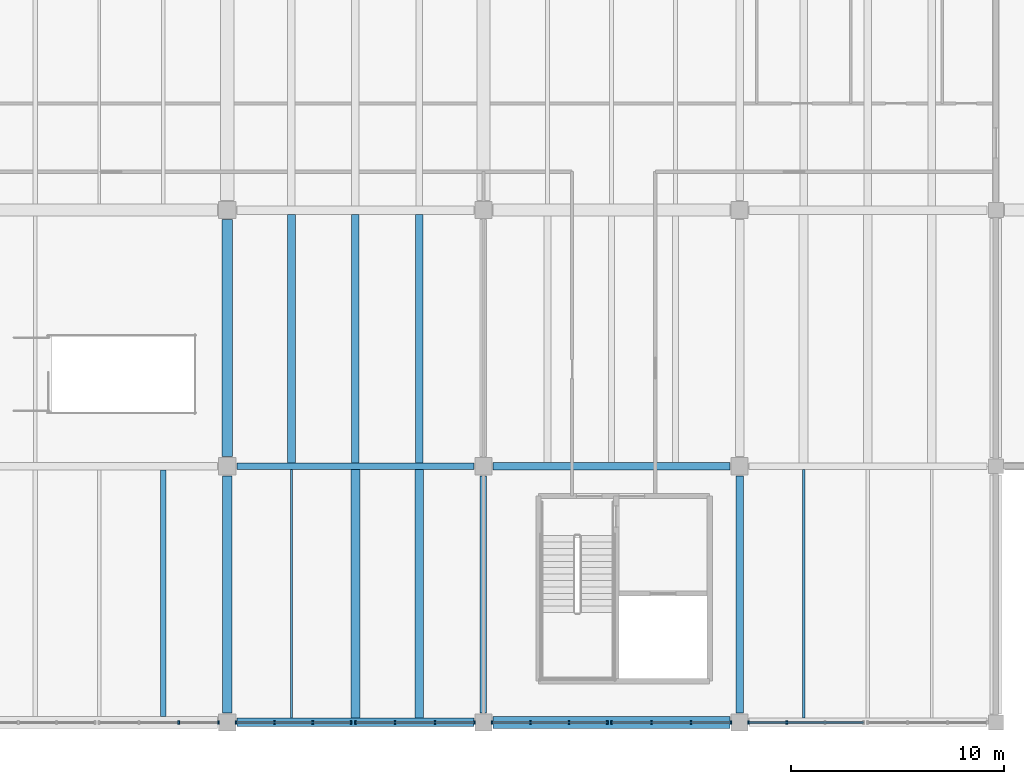
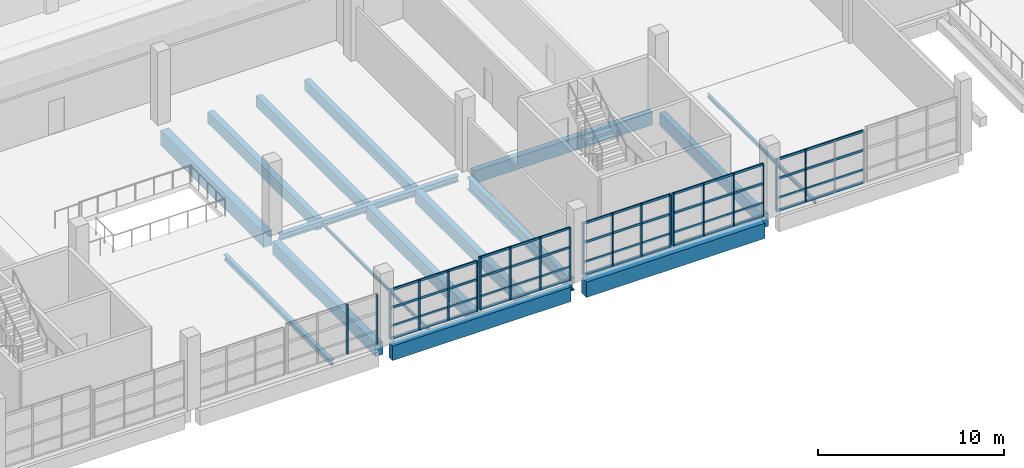
# One storey, part 33 of 112: 40 members, 16 beams, 6 elements without a shape of their own.
"""IFC4 building model written with IfcOpenShell, lengths in metres."""

from ifc_helpers import new_model, si_unit, direction, frame, origin, origin_2d, place, context, subcontext, project, spatial, rectangle, i_section, extrude, material, material_profile, profile_set, type_object, element, aggregate, save


model = new_model("IFC4")

# Units and contexts
model_context = context("Model", 3, precision=1e-05, world=origin(), true_north=direction((0.0, 1.0)))
body_context = subcontext(model_context, "Body", "Model", "MODEL_VIEW")
ifc_project = project(units=[si_unit("LENGTHUNIT", "METRE"), si_unit("AREAUNIT", "SQUARE_METRE"), si_unit("VOLUMEUNIT", "CUBIC_METRE"), si_unit("PLANEANGLEUNIT", "RADIAN"), si_unit("MASSUNIT", "GRAM", prefix="KILO")], contexts=[model_context])

# Site, building, storey
site_placement = place(None, origin())
site = spatial("IfcSite", under=ifc_project, at=site_placement, CompositionType="ELEMENT")
building_placement = place(site_placement, origin())
building = spatial("IfcBuilding", under=site, at=building_placement, Name="Kamomehara Wholesale Market", CompositionType="ELEMENT")
storey_placement = place(building_placement, frame((0.0, 0.0, 6.60009765625)))
storey = spatial("IfcBuildingStorey", under=building, at=storey_placement, Name="L01", CompositionType="ELEMENT", Elevation=6.60009765625)

# Beams
ifc_material_1 = material(Name="Precast concrete Fc45 (C40/50)", Category="concrete")
ifc_material_profile_1 = material_profile(ifc_material_1, rectangle(XDim=0.5, YDim=1.0, at=origin_2d()), Name="PC-GRD-500x1000")
ifc_profile_set_1 = profile_set([ifc_material_profile_1], Name="Precast concrete Fc45 (C40/50)")
beam_type_1 = type_object("IfcBeamType", Name="BM-PG1000", PredefinedType="T_BEAM", material=ifc_profile_set_1)
beam_1_placement = place(storey_placement, frame((132.0, 24.449951171875, -0.822021484375), z_axis=(0.0, 1.0, 0.0), x_axis=(-1.0, 0.0, 0.0)))
element("IfcBeam", 1, at=beam_1_placement, inside=storey, type_object=beam_type_1, Name="Beam PG-09 L01", PredefinedType="T_BEAM", context=body_context, shape_type="SweptSolid", body=[
    extrude(rectangle(XDim=0.5, YDim=1.0, at=origin_2d()), origin(), (0.0, 0.0, 1.0), 11.10009765625),
])
ifc_material_2 = material(Name="Precast concrete Fc45 (C40/50)", Category="concrete")
ifc_material_profile_2 = material_profile(ifc_material_2, rectangle(XDim=0.449951171875, YDim=0.85009765625, at=origin_2d()), Name="PC-GRD-450x850")
ifc_profile_set_2 = profile_set([ifc_material_profile_2], Name="Precast concrete Fc45 (C40/50)")
beam_type_2 = type_object("IfcBeamType", Name="BM-PG850", PredefinedType="T_BEAM", material=ifc_profile_set_2)
beam_2_placement = place(storey_placement, frame((132.0, 12.449951171875, -0.777099609375), z_axis=(0.0, 1.0, 0.0), x_axis=(-1.0, 0.0, 0.0)))
element("IfcBeam", 2, at=beam_2_placement, inside=storey, type_object=beam_type_2, Name="Beam PG-11 L01", PredefinedType="T_BEAM", context=body_context, shape_type="SweptSolid", body=[
    extrude(rectangle(XDim=0.449951171875, YDim=0.85009765625, at=origin_2d()), origin(), (0.0, 0.0, 1.0), 11.10009765625),
])
ifc_material_3 = material(Name="Precast concrete Fc45 (C40/50)", Category="concrete")
ifc_material_profile_3 = material_profile(ifc_material_3, rectangle(XDim=0.35009765625, YDim=0.699951171875, at=origin_2d()), Name="PC-JST-350x700")
ifc_profile_set_3 = profile_set([ifc_material_profile_3], Name="Precast concrete Fc45 (C40/50)")
beam_type_3 = type_object("IfcBeamType", Name="BM-PJ700", PredefinedType="JOIST", material=ifc_profile_set_3)
beam_3_placement = place(storey_placement, frame((141.0, 24.14990234375, -0.672119140625), z_axis=(0.0, 1.0, 0.0), x_axis=(-1.0, 0.0, 0.0)))
element("IfcBeam", 3, at=beam_3_placement, inside=storey, type_object=beam_type_3, Name="Beam PJ-03 L01", PredefinedType="JOIST", context=body_context, shape_type="SweptSolid", body=[
    extrude(rectangle(XDim=0.35009765625, YDim=0.699951171875, at=origin_2d()), origin(), (0.0, 0.0, 1.0), 11.650146484375),
])
ifc_material_4 = material(Name="Precast concrete Fc45 (C40/50)", Category="concrete")
ifc_material_profile_4 = material_profile(ifc_material_4, rectangle(XDim=0.360107421875, YDim=0.719970703125, at=origin_2d()), Name="PC-JST-360x720")
ifc_profile_set_4 = profile_set([ifc_material_profile_4], Name="Precast concrete Fc45 (C40/50)")
beam_type_4 = type_object("IfcBeamType", Name="BM-PJ720", PredefinedType="JOIST", material=ifc_profile_set_4)
beam_4_placement = place(storey_placement, frame((138.0, 24.14990234375, -0.68212890625), z_axis=(0.0, 1.0, 0.0), x_axis=(-1.0, 0.0, 0.0)))
element("IfcBeam", 4, at=beam_4_placement, inside=storey, type_object=beam_type_4, Name="Beam PJ-08 L01", PredefinedType="JOIST", context=body_context, shape_type="SweptSolid", body=[
    extrude(rectangle(XDim=0.360107421875, YDim=0.719970703125, at=origin_2d()), origin(), (0.0, 0.0, 1.0), 11.650146484375),
])
ifc_material_5 = material(Name="Precast concrete Fc45 (C40/50)", Category="concrete")
ifc_material_profile_5 = material_profile(ifc_material_5, rectangle(XDim=0.3798828125, YDim=0.75, at=origin_2d()), Name="PC-JST-380x750")
ifc_profile_set_5 = profile_set([ifc_material_profile_5], Name="Precast concrete Fc45 (C40/50)")
beam_type_5 = type_object("IfcBeamType", Name="BM-PJ750", PredefinedType="JOIST", material=ifc_profile_set_5)
beam_5_placement = place(storey_placement, frame((135.0, 24.14990234375, -0.697021484375), z_axis=(0.0, 1.0, 0.0), x_axis=(-1.0, 0.0, 0.0)))
element("IfcBeam", 5, at=beam_5_placement, inside=storey, type_object=beam_type_5, Name="Beam PJ-02 L01", PredefinedType="JOIST", context=body_context, shape_type="SweptSolid", body=[
    extrude(rectangle(XDim=0.3798828125, YDim=0.75, at=origin_2d()), origin(), (0.0, 0.0, 1.0), 11.650146484375),
])
ifc_material_6 = material(Name="Precast concrete Fc45 (C40/50)", Category="concrete")
ifc_material_profile_6 = material_profile(ifc_material_6, rectangle(XDim=0.39990234375, YDim=0.800048828125, at=origin_2d()), Name="PC-JST-400x800")
ifc_profile_set_6 = profile_set([ifc_material_profile_6], Name="Precast concrete Fc45 (C40/50)")
beam_type_6 = type_object("IfcBeamType", Name="BM-PJ800", PredefinedType="JOIST", material=ifc_profile_set_6)
beam_6_placement = place(storey_placement, frame((141.0, 12.199951171875, -0.752197265625), z_axis=(0.0, 1.0, 0.0), x_axis=(-1.0, 0.0, 0.0)))
element("IfcBeam", 6, at=beam_6_placement, inside=storey, type_object=beam_type_6, Name="Beam PJ-01 L01", PredefinedType="JOIST", context=body_context, shape_type="SweptSolid", body=[
    extrude(rectangle(XDim=0.39990234375, YDim=0.800048828125, at=origin_2d()), origin(), (0.0, 0.0, 1.0), 11.650146484375),
])
ifc_material_7 = material(Name="Precast concrete Fc45 (C40/50)", Category="concrete")
ifc_material_profile_7 = material_profile(ifc_material_7, rectangle(XDim=0.419921875, YDim=0.840087890625, at=origin_2d()), Name="PC-JST-420x840")
ifc_profile_set_7 = profile_set([ifc_material_profile_7], Name="Precast concrete Fc45 (C40/50)")
beam_type_7 = type_object("IfcBeamType", Name="BM-PJ840", PredefinedType="JOIST", material=ifc_profile_set_7)
beam_7_placement = place(storey_placement, frame((138.0, 12.199951171875, -0.772216796875), z_axis=(0.0, 1.0, 0.0), x_axis=(-1.0, 0.0, 0.0)))
element("IfcBeam", 7, at=beam_7_placement, inside=storey, type_object=beam_type_7, Name="Beam PJ-07 L01", PredefinedType="JOIST", context=body_context, shape_type="SweptSolid", body=[
    extrude(rectangle(XDim=0.419921875, YDim=0.840087890625, at=origin_2d()), origin(), (0.0, 0.0, 1.0), 11.650146484375),
])
ifc_material_8 = material(Name="Concrete Fc36 (C35/45)", Category="concrete")
ifc_material_profile_8 = material_profile(ifc_material_8, rectangle(XDim=0.550048828125, YDim=1.0, at=origin_2d()), Name="RC-SEB-550x1000")
ifc_profile_set_8 = profile_set([ifc_material_profile_8], Name="Concrete Fc36 (C35/45)")
beam_type_8 = type_object("IfcBeamType", Name="BM-SEB1000-EXT", PredefinedType="SPANDREL", material=ifc_profile_set_8)
beam_8_placement = place(storey_placement, frame((144.449951171875, 12.0, -0.81201171875), z_axis=(1.0, 0.0, 0.0), x_axis=(0.0, 1.0, 0.0)))
element("IfcBeam", 8, at=beam_8_placement, inside=storey, type_object=beam_type_8, Name="Beam SEB-03E L01", PredefinedType="SPANDREL", context=body_context, shape_type="SweptSolid", body=[
    extrude(rectangle(XDim=0.550048828125, YDim=1.0, at=origin_2d()), origin(), (0.0, 0.0, 1.0), 11.10009765625),
])
ifc_material_9 = material(Name="Precast concrete Fc45 (C40/50)", Category="concrete")
ifc_material_profile_9 = material_profile(ifc_material_9, rectangle(XDim=0.35009765625, YDim=0.85009765625, at=origin_2d()), Name="PC-SPN-350x850")
ifc_profile_set_9 = profile_set([ifc_material_profile_9], Name="Precast concrete Fc45 (C40/50)")
beam_type_9 = type_object("IfcBeamType", Name="BM-SPN850-EXT", PredefinedType="SPANDREL", material=ifc_profile_set_9)
for number, where, z_axis, x_axis, name in (
    (9, (156.0, 12.449951171875, -0.737060546875), (0.0, 1.0, 0.0), (-1.0, 0.0, 0.0), "Beam SPN-02E L01"),
    (10, (144.449951171875, 24.0, -0.76708984375), (1.0, 0.0, 0.0), (0.0, 1.0, 0.0), "Beam SPN-02E L01"),
):
    element("IfcBeam", number, at=place(storey_placement, frame(where, z_axis=z_axis, x_axis=x_axis)), inside=storey, type_object=beam_type_9, Name=name, PredefinedType="SPANDREL", context=body_context, shape_type="SweptSolid", body=[
        extrude(rectangle(XDim=0.35009765625, YDim=0.85009765625, at=origin_2d()), origin(), (0.0, 0.0, 1.0), 11.10009765625),
    ])
ifc_material_10 = material(Name="Precast concrete Fc45 (C40/50)", Category="concrete")
ifc_material_profile_10 = material_profile(ifc_material_10, rectangle(XDim=0.39990234375, YDim=0.949951171875, at=origin_2d()), Name="PC-SPN-400x950")
ifc_profile_set_10 = profile_set([ifc_material_profile_10], Name="Precast concrete Fc45 (C40/50)")
beam_type_10 = type_object("IfcBeamType", Name="BM-SPN950-EXT", PredefinedType="SPANDREL", material=ifc_profile_set_10)
beam_9_placement = place(storey_placement, frame((132.449951171875, 12.0, -0.8271484375), z_axis=(1.0, 0.0, 0.0), x_axis=(0.0, 1.0, 0.0)))
element("IfcBeam", 11, at=beam_9_placement, inside=storey, type_object=beam_type_10, Name="Beam SPN-01E L01", PredefinedType="SPANDREL", context=body_context, shape_type="SweptSolid", body=[
    extrude(rectangle(XDim=0.39990234375, YDim=0.949951171875, at=origin_2d()), origin(), (0.0, 0.0, 1.0), 11.10009765625),
])
ifc_material_11 = material(Name="Steel SN400B", Category="steel")
ifc_material_profile_11 = material_profile(ifc_material_11, i_section(OverallWidth=0.10009765625, OverallDepth=0.199951171875, WebThickness=0.005615234375, FlangeThickness=0.008056640625, FilletRadius=0.008056640625, at=origin_2d()), Name="H-200x100x5.5x8")
ifc_profile_set_11 = profile_set([ifc_material_profile_11], Name="Steel SN400B")
beam_type_11 = type_object("IfcBeamType", Name="BM-ST-H200", PredefinedType="LINTEL", material=ifc_profile_set_11)
beam_10_placement = place(storey_placement, frame((135.0, 12.199951171875, -0.4521484375), z_axis=(0.0, 1.0, 0.0), x_axis=(-1.0, 0.0, 0.0)))
element("IfcBeam", 12, at=beam_10_placement, inside=storey, type_object=beam_type_11, Name="Beam SJ-07 L01", PredefinedType="LINTEL", context=body_context, shape_type="SweptSolid", body=[
    extrude(i_section(OverallWidth=0.10009765625, OverallDepth=0.199951171875, WebThickness=0.005615234375, FlangeThickness=0.008056640625, FilletRadius=0.008056640625, at=origin_2d()), origin(), (0.0, 0.0, 1.0), 11.650146484375),
])
ifc_material_12 = material(Name="Steel SN400B", Category="steel")
ifc_material_profile_12 = material_profile(ifc_material_12, i_section(OverallWidth=0.125, OverallDepth=0.25, WebThickness=0.006103515625, FlangeThickness=0.009033203125, FilletRadius=0.008056640625, at=origin_2d()), Name="H-250x125x6x9")
ifc_profile_set_12 = profile_set([ifc_material_profile_12], Name="Steel SN400B")
beam_type_12 = type_object("IfcBeamType", Name="BM-ST-H250", PredefinedType="JOIST", material=ifc_profile_set_12)
beam_11_placement = place(storey_placement, frame((159.0, 12.199951171875, -0.43701171875), z_axis=(0.0, 1.0, 0.0), x_axis=(-1.0, 0.0, 0.0)))
element("IfcBeam", 13, at=beam_11_placement, inside=storey, type_object=beam_type_12, Name="Beam SJ-06 L01", PredefinedType="JOIST", context=body_context, shape_type="SweptSolid", body=[
    extrude(i_section(OverallWidth=0.125, OverallDepth=0.25, WebThickness=0.006103515625, FlangeThickness=0.009033203125, FilletRadius=0.008056640625, at=origin_2d()), origin(), (0.0, 0.0, 1.0), 11.650146484375),
])
ifc_material_13 = material(Name="Steel SN490B", Category="steel")
ifc_material_profile_13 = material_profile(ifc_material_13, i_section(OverallWidth=0.25, OverallDepth=0.340087890625, WebThickness=0.009033203125, FlangeThickness=0.013916015625, FilletRadius=0.012939453125, at=origin_2d()), Name="H-340x250x9x14")
ifc_profile_set_13 = profile_set([ifc_material_profile_13], Name="Steel SN490B")
beam_type_13 = type_object("IfcBeamType", Name="BM-ST-H340", PredefinedType="JOIST", material=ifc_profile_set_13)
beam_12_placement = place(storey_placement, frame((129.0, 12.27490234375, -0.522216796875), z_axis=(0.0, 1.0, 0.0), x_axis=(-1.0, 0.0, 0.0)))
element("IfcBeam", 14, at=beam_12_placement, inside=storey, type_object=beam_type_13, Name="Beam SJ-08 L01", PredefinedType="JOIST", context=body_context, shape_type="SweptSolid", body=[
    extrude(i_section(OverallWidth=0.25, OverallDepth=0.340087890625, WebThickness=0.009033203125, FlangeThickness=0.013916015625, FilletRadius=0.012939453125, at=origin_2d()), origin(), (0.0, 0.0, 1.0), 11.550048828125),
])
ifc_material_14 = material(Name="Steel SN490B", Category="steel")
ifc_material_profile_14 = material_profile(ifc_material_14, i_section(OverallWidth=0.300048828125, OverallDepth=0.389892578125, WebThickness=0.010009765625, FlangeThickness=0.01611328125, FilletRadius=0.01806640625, at=origin_2d()), Name="H-390x300x10x16")
ifc_profile_set_14 = profile_set([ifc_material_profile_14], Name="Steel SN490B")
beam_type_14 = type_object("IfcBeamType", Name="BM-ST-H390-EXT", PredefinedType="SPANDREL", material=ifc_profile_set_14)
beam_13_placement = place(storey_placement, frame((132.449951171875, 24.0, -0.547119140625), z_axis=(1.0, 0.0, 0.0), x_axis=(0.0, 1.0, 0.0)))
element("IfcBeam", 15, at=beam_13_placement, inside=storey, type_object=beam_type_14, Name="Beam SJ-03E L01", PredefinedType="SPANDREL", context=body_context, shape_type="SweptSolid", body=[
    extrude(i_section(OverallWidth=0.300048828125, OverallDepth=0.389892578125, WebThickness=0.010009765625, FlangeThickness=0.01611328125, FilletRadius=0.01806640625, at=origin_2d()), origin(), (0.0, 0.0, 1.0), 11.10009765625),
])
ifc_material_15 = material(Name="Steel SN490B", Category="steel")
ifc_material_profile_15 = material_profile(ifc_material_15, i_section(OverallWidth=0.300048828125, OverallDepth=0.800048828125, WebThickness=0.013916015625, FlangeThickness=0.02587890625, FilletRadius=0.02392578125, at=origin_2d()), Name="H-800x300x14x26")
ifc_profile_set_15 = profile_set([ifc_material_profile_15], Name="Steel SN490B")
beam_type_15 = type_object("IfcBeamType", Name="BM-ST-H800", PredefinedType="BEAM", material=ifc_profile_set_15)
beam_14_placement = place(storey_placement, frame((144.0, 12.449951171875, -0.752197265625), z_axis=(0.0, 1.0, 0.0), x_axis=(-1.0, 0.0, 0.0)))
element("IfcBeam", 16, at=beam_14_placement, inside=storey, type_object=beam_type_15, Name="Beam SG-02 L01", PredefinedType="BEAM", context=body_context, shape_type="SweptSolid", body=[
    extrude(i_section(OverallWidth=0.300048828125, OverallDepth=0.800048828125, WebThickness=0.013916015625, FlangeThickness=0.02587890625, FilletRadius=0.02392578125, at=origin_2d()), origin(), (0.0, 0.0, 1.0), 11.10009765625),
])

# Curtain wall, members
ifc_material_16 = material(Name="Anodised aluminium 6063-T5", Category="aluminium")
curtain_wall_type = type_object("IfcCurtainWallType", Name="CW-UN-01", PredefinedType="NOTDEFINED", material=ifc_material_16)
curtain_wall_1_placement = place(storey_placement, origin())
curtain_wall_1 = element("IfcCurtainWall", 17, at=curtain_wall_1_placement, inside=storey, type_object=curtain_wall_type, Name="Unitised curtain wall CW-135", PredefinedType="NOTDEFINED")
ifc_material_17 = material(Name="Anodised aluminium 6063-T5", Category="aluminium")
ifc_material_profile_16 = material_profile(ifc_material_17, rectangle(XDim=0.074951171875, YDim=0.179931640625, at=origin_2d()), Name="ALU-MUL-75x180")
ifc_profile_set_16 = profile_set([ifc_material_profile_16], Name="Anodised aluminium 6063-T5")
member_type_1 = type_object("IfcMemberType", Name="CW-MUL-180", PredefinedType="MULLION", material=ifc_profile_set_16)
member_1_placement = place(storey_placement, frame((131.590087890625, 12.0, 0.0), z_axis=(0.0, 0.0, 1.0), x_axis=(-1.0, 0.0, 0.0)))
member_1 = element("IfcMember", 18, at=member_1_placement, type_object=member_type_1, Name="Mullion CW-135.0", PredefinedType="MULLION", context=body_context, shape_type="SweptSolid", body=[
    extrude(rectangle(XDim=0.074951171875, YDim=0.179931640625, at=origin_2d()), origin(), (0.0, 0.0, 1.0), 3.267822265625),
])
member_2_placement = place(storey_placement, frame((129.72705078125, 12.0, 0.0), z_axis=(0.0, 0.0, 1.0), x_axis=(-1.0, 0.0, 0.0)))
member_2 = element("IfcMember", 19, at=member_2_placement, type_object=member_type_1, Name="Mullion CW-135.1", PredefinedType="MULLION", context=body_context, shape_type="SweptSolid", body=[
    extrude(rectangle(XDim=0.074951171875, YDim=0.179931640625, at=origin_2d()), origin(), (0.0, 0.0, 1.0), 3.267822265625),
])
aggregate(curtain_wall_1, [member_1, member_2])

curtain_wall_2_placement = place(storey_placement, origin())
curtain_wall_2 = element("IfcCurtainWall", 20, at=curtain_wall_2_placement, inside=storey, type_object=curtain_wall_type, Name="Unitised curtain wall CW-137", PredefinedType="NOTDEFINED")
member_3_placement = place(storey_placement, frame((143.590087890625, 12.0, 0.0), z_axis=(0.0, 0.0, 1.0), x_axis=(-1.0, 0.0, 0.0)))
member_3 = element("IfcMember", 21, at=member_3_placement, type_object=member_type_1, Name="Mullion CW-137.0", PredefinedType="MULLION", context=body_context, shape_type="SweptSolid", body=[
    extrude(rectangle(XDim=0.074951171875, YDim=0.179931640625, at=origin_2d()), origin(), (0.0, 0.0, 1.0), 3.447998046875),
])
member_4_placement = place(storey_placement, frame((141.72705078125, 12.0, 0.0), z_axis=(0.0, 0.0, 1.0), x_axis=(-1.0, 0.0, 0.0)))
member_4 = element("IfcMember", 22, at=member_4_placement, type_object=member_type_1, Name="Mullion CW-137.1", PredefinedType="MULLION", context=body_context, shape_type="SweptSolid", body=[
    extrude(rectangle(XDim=0.074951171875, YDim=0.179931640625, at=origin_2d()), origin(), (0.0, 0.0, 1.0), 3.447998046875),
])
member_5_placement = place(storey_placement, frame((139.863037109375, 12.0, 0.0), z_axis=(0.0, 0.0, 1.0), x_axis=(-1.0, 0.0, 0.0)))
member_5 = element("IfcMember", 23, at=member_5_placement, type_object=member_type_1, Name="Mullion CW-137.2", PredefinedType="MULLION", context=body_context, shape_type="SweptSolid", body=[
    extrude(rectangle(XDim=0.074951171875, YDim=0.179931640625, at=origin_2d()), origin(), (0.0, 0.0, 1.0), 3.447998046875),
])
member_6_placement = place(storey_placement, frame((138.0, 12.0, 0.0), z_axis=(0.0, 0.0, 1.0), x_axis=(-1.0, 0.0, 0.0)))
member_6 = element("IfcMember", 24, at=member_6_placement, type_object=member_type_1, Name="Mullion CW-137.3", PredefinedType="MULLION", context=body_context, shape_type="SweptSolid", body=[
    extrude(rectangle(XDim=0.074951171875, YDim=0.179931640625, at=origin_2d()), origin(), (0.0, 0.0, 1.0), 3.447998046875),
])

curtain_wall_3_placement = place(storey_placement, origin())
curtain_wall_3 = element("IfcCurtainWall", 25, at=curtain_wall_3_placement, inside=storey, type_object=curtain_wall_type, Name="Unitised curtain wall CW-138", PredefinedType="NOTDEFINED")
member_7_placement = place(storey_placement, frame((137.800048828125, 12.0, 0.0), z_axis=(0.0, 0.0, 1.0), x_axis=(-1.0, 0.0, 0.0)))
member_7 = element("IfcMember", 26, at=member_7_placement, type_object=member_type_1, Name="Mullion CW-138.0", PredefinedType="MULLION", context=body_context, shape_type="SweptSolid", body=[
    extrude(rectangle(XDim=0.074951171875, YDim=0.179931640625, at=origin_2d()), origin(), (0.0, 0.0, 1.0), 3.267822265625),
])
member_8_placement = place(storey_placement, frame((136.0029296875, 12.0, 0.0), z_axis=(0.0, 0.0, 1.0), x_axis=(-1.0, 0.0, 0.0)))
member_8 = element("IfcMember", 27, at=member_8_placement, type_object=member_type_1, Name="Mullion CW-138.1", PredefinedType="MULLION", context=body_context, shape_type="SweptSolid", body=[
    extrude(rectangle(XDim=0.074951171875, YDim=0.179931640625, at=origin_2d()), origin(), (0.0, 0.0, 1.0), 3.267822265625),
])
member_9_placement = place(storey_placement, frame((134.20703125, 12.0, 0.0), z_axis=(0.0, 0.0, 1.0), x_axis=(-1.0, 0.0, 0.0)))
member_9 = element("IfcMember", 28, at=member_9_placement, type_object=member_type_1, Name="Mullion CW-138.2", PredefinedType="MULLION", context=body_context, shape_type="SweptSolid", body=[
    extrude(rectangle(XDim=0.074951171875, YDim=0.179931640625, at=origin_2d()), origin(), (0.0, 0.0, 1.0), 3.267822265625),
])
member_10_placement = place(storey_placement, frame((132.409912109375, 12.0, 0.0), z_axis=(0.0, 0.0, 1.0), x_axis=(-1.0, 0.0, 0.0)))
member_10 = element("IfcMember", 29, at=member_10_placement, type_object=member_type_1, Name="Mullion CW-138.3", PredefinedType="MULLION", context=body_context, shape_type="SweptSolid", body=[
    extrude(rectangle(XDim=0.074951171875, YDim=0.179931640625, at=origin_2d()), origin(), (0.0, 0.0, 1.0), 3.267822265625),
])

curtain_wall_4_placement = place(storey_placement, origin())
curtain_wall_4 = element("IfcCurtainWall", 30, at=curtain_wall_4_placement, inside=storey, type_object=curtain_wall_type, Name="Unitised curtain wall CW-139", PredefinedType="NOTDEFINED")
member_11_placement = place(storey_placement, frame((155.590087890625, 12.0, 0.0), z_axis=(0.0, 0.0, 1.0), x_axis=(-1.0, 0.0, 0.0)))
member_11 = element("IfcMember", 31, at=member_11_placement, type_object=member_type_1, Name="Mullion CW-139.0", PredefinedType="MULLION", context=body_context, shape_type="SweptSolid", body=[
    extrude(rectangle(XDim=0.074951171875, YDim=0.179931640625, at=origin_2d()), origin(), (0.0, 0.0, 1.0), 3.432861328125),
])
member_12_placement = place(storey_placement, frame((153.72705078125, 12.0, 0.0), z_axis=(0.0, 0.0, 1.0), x_axis=(-1.0, 0.0, 0.0)))
member_12 = element("IfcMember", 32, at=member_12_placement, type_object=member_type_1, Name="Mullion CW-139.1", PredefinedType="MULLION", context=body_context, shape_type="SweptSolid", body=[
    extrude(rectangle(XDim=0.074951171875, YDim=0.179931640625, at=origin_2d()), origin(), (0.0, 0.0, 1.0), 3.432861328125),
])
member_13_placement = place(storey_placement, frame((151.863037109375, 12.0, 0.0), z_axis=(0.0, 0.0, 1.0), x_axis=(-1.0, 0.0, 0.0)))
member_13 = element("IfcMember", 33, at=member_13_placement, type_object=member_type_1, Name="Mullion CW-139.2", PredefinedType="MULLION", context=body_context, shape_type="SweptSolid", body=[
    extrude(rectangle(XDim=0.074951171875, YDim=0.179931640625, at=origin_2d()), origin(), (0.0, 0.0, 1.0), 3.432861328125),
])
member_14_placement = place(storey_placement, frame((150.0, 12.0, 0.0), z_axis=(0.0, 0.0, 1.0), x_axis=(-1.0, 0.0, 0.0)))
member_14 = element("IfcMember", 34, at=member_14_placement, type_object=member_type_1, Name="Mullion CW-139.3", PredefinedType="MULLION", context=body_context, shape_type="SweptSolid", body=[
    extrude(rectangle(XDim=0.074951171875, YDim=0.179931640625, at=origin_2d()), origin(), (0.0, 0.0, 1.0), 3.432861328125),
])

curtain_wall_5_placement = place(storey_placement, origin())
curtain_wall_5 = element("IfcCurtainWall", 35, at=curtain_wall_5_placement, inside=storey, type_object=curtain_wall_type, Name="Unitised curtain wall CW-140", PredefinedType="NOTDEFINED")
member_15_placement = place(storey_placement, frame((149.800048828125, 12.0, 0.0), z_axis=(0.0, 0.0, 1.0), x_axis=(-1.0, 0.0, 0.0)))
member_15 = element("IfcMember", 36, at=member_15_placement, type_object=member_type_1, Name="Mullion CW-140.0", PredefinedType="MULLION", context=body_context, shape_type="SweptSolid", body=[
    extrude(rectangle(XDim=0.074951171875, YDim=0.179931640625, at=origin_2d()), origin(), (0.0, 0.0, 1.0), 3.447998046875),
])
member_16_placement = place(storey_placement, frame((148.0029296875, 12.0, 0.0), z_axis=(0.0, 0.0, 1.0), x_axis=(-1.0, 0.0, 0.0)))
member_16 = element("IfcMember", 37, at=member_16_placement, type_object=member_type_1, Name="Mullion CW-140.1", PredefinedType="MULLION", context=body_context, shape_type="SweptSolid", body=[
    extrude(rectangle(XDim=0.074951171875, YDim=0.179931640625, at=origin_2d()), origin(), (0.0, 0.0, 1.0), 3.447998046875),
])
member_17_placement = place(storey_placement, frame((146.20703125, 12.0, 0.0), z_axis=(0.0, 0.0, 1.0), x_axis=(-1.0, 0.0, 0.0)))
member_17 = element("IfcMember", 38, at=member_17_placement, type_object=member_type_1, Name="Mullion CW-140.2", PredefinedType="MULLION", context=body_context, shape_type="SweptSolid", body=[
    extrude(rectangle(XDim=0.074951171875, YDim=0.179931640625, at=origin_2d()), origin(), (0.0, 0.0, 1.0), 3.447998046875),
])
member_18_placement = place(storey_placement, frame((144.409912109375, 12.0, 0.0), z_axis=(0.0, 0.0, 1.0), x_axis=(-1.0, 0.0, 0.0)))
member_18 = element("IfcMember", 39, at=member_18_placement, type_object=member_type_1, Name="Mullion CW-140.3", PredefinedType="MULLION", context=body_context, shape_type="SweptSolid", body=[
    extrude(rectangle(XDim=0.074951171875, YDim=0.179931640625, at=origin_2d()), origin(), (0.0, 0.0, 1.0), 3.447998046875),
])

curtain_wall_6_placement = place(storey_placement, origin())
curtain_wall_6 = element("IfcCurtainWall", 40, at=curtain_wall_6_placement, inside=storey, type_object=curtain_wall_type, Name="Unitised curtain wall CW-142", PredefinedType="NOTDEFINED")
member_19_placement = place(storey_placement, frame((158.20703125, 12.0, 0.0), z_axis=(0.0, 0.0, 1.0), x_axis=(-1.0, 0.0, 0.0)))
member_19 = element("IfcMember", 41, at=member_19_placement, type_object=member_type_1, Name="Mullion CW-142.2", PredefinedType="MULLION", context=body_context, shape_type="SweptSolid", body=[
    extrude(rectangle(XDim=0.074951171875, YDim=0.179931640625, at=origin_2d()), origin(), (0.0, 0.0, 1.0), 3.432861328125),
])
member_20_placement = place(storey_placement, frame((156.409912109375, 12.0, 0.0), z_axis=(0.0, 0.0, 1.0), x_axis=(-1.0, 0.0, 0.0)))
member_20 = element("IfcMember", 42, at=member_20_placement, type_object=member_type_1, Name="Mullion CW-142.3", PredefinedType="MULLION", context=body_context, shape_type="SweptSolid", body=[
    extrude(rectangle(XDim=0.074951171875, YDim=0.179931640625, at=origin_2d()), origin(), (0.0, 0.0, 1.0), 3.432861328125),
])

# Member
ifc_material_18 = material(Name="Anodised aluminium 6063-T5", Category="aluminium")
ifc_material_profile_17 = material_profile(ifc_material_18, rectangle(XDim=0.074951171875, YDim=0.14990234375, at=origin_2d()), Name="ALU-TRN-75x150")
ifc_profile_set_17 = profile_set([ifc_material_profile_17], Name="Anodised aluminium 6063-T5")
member_type_2 = type_object("IfcMemberType", Name="CW-TRN-150", PredefinedType="USERDEFINED", material=ifc_profile_set_17)
member_21_placement = place(storey_placement, frame((143.590087890625, 12.0, 0.039794921875), z_axis=(-1.0, 0.0, 0.0), x_axis=(0.0, -1.0, 0.0)))
member_21 = element("IfcMember", 43, at=member_21_placement, type_object=member_type_2, Name="Transom CW-137.0", ObjectType="TRANSOM", PredefinedType="USERDEFINED", context=body_context, shape_type="SweptSolid", body=[
    extrude(rectangle(XDim=0.074951171875, YDim=0.14990234375, at=origin_2d()), origin(), (0.0, 0.0, 1.0), 5.590087890625),
])

member_22_placement = place(storey_placement, frame((143.590087890625, 12.0, 0.849853515625), z_axis=(-1.0, 0.0, 0.0), x_axis=(0.0, -1.0, 0.0)))
member_22 = element("IfcMember", 44, at=member_22_placement, type_object=member_type_2, Name="Transom CW-137.1", ObjectType="TRANSOM", PredefinedType="USERDEFINED", context=body_context, shape_type="SweptSolid", body=[
    extrude(rectangle(XDim=0.074951171875, YDim=0.14990234375, at=origin_2d()), origin(), (0.0, 0.0, 1.0), 5.590087890625),
])

member_23_placement = place(storey_placement, frame((143.590087890625, 12.0, 2.14892578125), z_axis=(-1.0, 0.0, 0.0), x_axis=(0.0, -1.0, 0.0)))
member_23 = element("IfcMember", 45, at=member_23_placement, type_object=member_type_2, Name="Transom CW-137.2", ObjectType="TRANSOM", PredefinedType="USERDEFINED", context=body_context, shape_type="SweptSolid", body=[
    extrude(rectangle(XDim=0.074951171875, YDim=0.14990234375, at=origin_2d()), origin(), (0.0, 0.0, 1.0), 5.590087890625),
])

member_24_placement = place(storey_placement, frame((143.590087890625, 12.0, 3.407958984375), z_axis=(-1.0, 0.0, 0.0), x_axis=(0.0, -1.0, 0.0)))
member_24 = element("IfcMember", 46, at=member_24_placement, type_object=member_type_2, Name="Transom CW-137.3", ObjectType="TRANSOM", PredefinedType="USERDEFINED", context=body_context, shape_type="SweptSolid", body=[
    extrude(rectangle(XDim=0.074951171875, YDim=0.14990234375, at=origin_2d()), origin(), (0.0, 0.0, 1.0), 5.590087890625),
])

aggregate(curtain_wall_2, [member_3, member_4, member_5, member_6, member_21, member_22, member_23, member_24])

member_25_placement = place(storey_placement, frame((137.800048828125, 12.0, 0.039794921875), z_axis=(-1.0, 0.0, 0.0), x_axis=(0.0, -1.0, 0.0)))
member_25 = element("IfcMember", 47, at=member_25_placement, type_object=member_type_2, Name="Transom CW-138.0", ObjectType="TRANSOM", PredefinedType="USERDEFINED", context=body_context, shape_type="SweptSolid", body=[
    extrude(rectangle(XDim=0.074951171875, YDim=0.14990234375, at=origin_2d()), origin(), (0.0, 0.0, 1.0), 5.39013671875),
])

member_26_placement = place(storey_placement, frame((137.800048828125, 12.0, 0.849853515625), z_axis=(-1.0, 0.0, 0.0), x_axis=(0.0, -1.0, 0.0)))
member_26 = element("IfcMember", 48, at=member_26_placement, type_object=member_type_2, Name="Transom CW-138.1", ObjectType="TRANSOM", PredefinedType="USERDEFINED", context=body_context, shape_type="SweptSolid", body=[
    extrude(rectangle(XDim=0.074951171875, YDim=0.14990234375, at=origin_2d()), origin(), (0.0, 0.0, 1.0), 5.39013671875),
])

member_27_placement = place(storey_placement, frame((137.800048828125, 12.0, 2.058837890625), z_axis=(-1.0, 0.0, 0.0), x_axis=(0.0, -1.0, 0.0)))
member_27 = element("IfcMember", 49, at=member_27_placement, type_object=member_type_2, Name="Transom CW-138.2", ObjectType="TRANSOM", PredefinedType="USERDEFINED", context=body_context, shape_type="SweptSolid", body=[
    extrude(rectangle(XDim=0.074951171875, YDim=0.14990234375, at=origin_2d()), origin(), (0.0, 0.0, 1.0), 5.39013671875),
])

member_28_placement = place(storey_placement, frame((137.800048828125, 12.0, 3.227783203125), z_axis=(-1.0, 0.0, 0.0), x_axis=(0.0, -1.0, 0.0)))
member_28 = element("IfcMember", 50, at=member_28_placement, type_object=member_type_2, Name="Transom CW-138.3", ObjectType="TRANSOM", PredefinedType="USERDEFINED", context=body_context, shape_type="SweptSolid", body=[
    extrude(rectangle(XDim=0.074951171875, YDim=0.14990234375, at=origin_2d()), origin(), (0.0, 0.0, 1.0), 5.39013671875),
])

aggregate(curtain_wall_3, [member_7, member_8, member_9, member_10, member_25, member_26, member_27, member_28])

member_29_placement = place(storey_placement, frame((155.590087890625, 12.0, 0.039794921875), z_axis=(-1.0, 0.0, 0.0), x_axis=(0.0, -1.0, 0.0)))
member_29 = element("IfcMember", 51, at=member_29_placement, type_object=member_type_2, Name="Transom CW-139.0", ObjectType="TRANSOM", PredefinedType="USERDEFINED", context=body_context, shape_type="SweptSolid", body=[
    extrude(rectangle(XDim=0.074951171875, YDim=0.14990234375, at=origin_2d()), origin(), (0.0, 0.0, 1.0), 5.590087890625),
])

member_30_placement = place(storey_placement, frame((155.590087890625, 12.0, 0.849853515625), z_axis=(-1.0, 0.0, 0.0), x_axis=(0.0, -1.0, 0.0)))
member_30 = element("IfcMember", 52, at=member_30_placement, type_object=member_type_2, Name="Transom CW-139.1", ObjectType="TRANSOM", PredefinedType="USERDEFINED", context=body_context, shape_type="SweptSolid", body=[
    extrude(rectangle(XDim=0.074951171875, YDim=0.14990234375, at=origin_2d()), origin(), (0.0, 0.0, 1.0), 5.590087890625),
])

member_31_placement = place(storey_placement, frame((155.590087890625, 12.0, 2.141845703125), z_axis=(-1.0, 0.0, 0.0), x_axis=(0.0, -1.0, 0.0)))
member_31 = element("IfcMember", 53, at=member_31_placement, type_object=member_type_2, Name="Transom CW-139.2", ObjectType="TRANSOM", PredefinedType="USERDEFINED", context=body_context, shape_type="SweptSolid", body=[
    extrude(rectangle(XDim=0.074951171875, YDim=0.14990234375, at=origin_2d()), origin(), (0.0, 0.0, 1.0), 5.590087890625),
])

member_32_placement = place(storey_placement, frame((155.590087890625, 12.0, 3.392822265625), z_axis=(-1.0, 0.0, 0.0), x_axis=(0.0, -1.0, 0.0)))
member_32 = element("IfcMember", 54, at=member_32_placement, type_object=member_type_2, Name="Transom CW-139.3", ObjectType="TRANSOM", PredefinedType="USERDEFINED", context=body_context, shape_type="SweptSolid", body=[
    extrude(rectangle(XDim=0.074951171875, YDim=0.14990234375, at=origin_2d()), origin(), (0.0, 0.0, 1.0), 5.590087890625),
])

aggregate(curtain_wall_4, [member_11, member_12, member_13, member_14, member_29, member_30, member_31, member_32])

member_33_placement = place(storey_placement, frame((149.800048828125, 12.0, 0.039794921875), z_axis=(-1.0, 0.0, 0.0), x_axis=(0.0, -1.0, 0.0)))
member_33 = element("IfcMember", 55, at=member_33_placement, type_object=member_type_2, Name="Transom CW-140.0", ObjectType="TRANSOM", PredefinedType="USERDEFINED", context=body_context, shape_type="SweptSolid", body=[
    extrude(rectangle(XDim=0.074951171875, YDim=0.14990234375, at=origin_2d()), origin(), (0.0, 0.0, 1.0), 5.39013671875),
])

member_34_placement = place(storey_placement, frame((149.800048828125, 12.0, 0.849853515625), z_axis=(-1.0, 0.0, 0.0), x_axis=(0.0, -1.0, 0.0)))
member_34 = element("IfcMember", 56, at=member_34_placement, type_object=member_type_2, Name="Transom CW-140.1", ObjectType="TRANSOM", PredefinedType="USERDEFINED", context=body_context, shape_type="SweptSolid", body=[
    extrude(rectangle(XDim=0.074951171875, YDim=0.14990234375, at=origin_2d()), origin(), (0.0, 0.0, 1.0), 5.39013671875),
])

member_35_placement = place(storey_placement, frame((149.800048828125, 12.0, 2.14892578125), z_axis=(-1.0, 0.0, 0.0), x_axis=(0.0, -1.0, 0.0)))
member_35 = element("IfcMember", 57, at=member_35_placement, type_object=member_type_2, Name="Transom CW-140.2", ObjectType="TRANSOM", PredefinedType="USERDEFINED", context=body_context, shape_type="SweptSolid", body=[
    extrude(rectangle(XDim=0.074951171875, YDim=0.14990234375, at=origin_2d()), origin(), (0.0, 0.0, 1.0), 5.39013671875),
])

member_36_placement = place(storey_placement, frame((149.800048828125, 12.0, 3.407958984375), z_axis=(-1.0, 0.0, 0.0), x_axis=(0.0, -1.0, 0.0)))
member_36 = element("IfcMember", 58, at=member_36_placement, type_object=member_type_2, Name="Transom CW-140.3", ObjectType="TRANSOM", PredefinedType="USERDEFINED", context=body_context, shape_type="SweptSolid", body=[
    extrude(rectangle(XDim=0.074951171875, YDim=0.14990234375, at=origin_2d()), origin(), (0.0, 0.0, 1.0), 5.39013671875),
])

aggregate(curtain_wall_5, [member_15, member_16, member_17, member_18, member_33, member_34, member_35, member_36])

member_37_placement = place(storey_placement, frame((161.800048828125, 12.0, 0.039794921875), z_axis=(-1.0, 0.0, 0.0), x_axis=(0.0, -1.0, 0.0)))
member_37 = element("IfcMember", 59, at=member_37_placement, type_object=member_type_2, Name="Transom CW-142.0", ObjectType="TRANSOM", PredefinedType="USERDEFINED", context=body_context, shape_type="SweptSolid", body=[
    extrude(rectangle(XDim=0.074951171875, YDim=0.14990234375, at=origin_2d()), origin(), (0.0, 0.0, 1.0), 5.39013671875),
])

member_38_placement = place(storey_placement, frame((161.800048828125, 12.0, 0.849853515625), z_axis=(-1.0, 0.0, 0.0), x_axis=(0.0, -1.0, 0.0)))
member_38 = element("IfcMember", 60, at=member_38_placement, type_object=member_type_2, Name="Transom CW-142.1", ObjectType="TRANSOM", PredefinedType="USERDEFINED", context=body_context, shape_type="SweptSolid", body=[
    extrude(rectangle(XDim=0.074951171875, YDim=0.14990234375, at=origin_2d()), origin(), (0.0, 0.0, 1.0), 5.39013671875),
])

member_39_placement = place(storey_placement, frame((161.800048828125, 12.0, 2.141845703125), z_axis=(-1.0, 0.0, 0.0), x_axis=(0.0, -1.0, 0.0)))
member_39 = element("IfcMember", 61, at=member_39_placement, type_object=member_type_2, Name="Transom CW-142.2", ObjectType="TRANSOM", PredefinedType="USERDEFINED", context=body_context, shape_type="SweptSolid", body=[
    extrude(rectangle(XDim=0.074951171875, YDim=0.14990234375, at=origin_2d()), origin(), (0.0, 0.0, 1.0), 5.39013671875),
])

member_40_placement = place(storey_placement, frame((161.800048828125, 12.0, 3.392822265625), z_axis=(-1.0, 0.0, 0.0), x_axis=(0.0, -1.0, 0.0)))
member_40 = element("IfcMember", 62, at=member_40_placement, type_object=member_type_2, Name="Transom CW-142.3", ObjectType="TRANSOM", PredefinedType="USERDEFINED", context=body_context, shape_type="SweptSolid", body=[
    extrude(rectangle(XDim=0.074951171875, YDim=0.14990234375, at=origin_2d()), origin(), (0.0, 0.0, 1.0), 5.39013671875),
])

aggregate(curtain_wall_6, [member_19, member_20, member_37, member_38, member_39, member_40])

save(model, "model.ifc")
